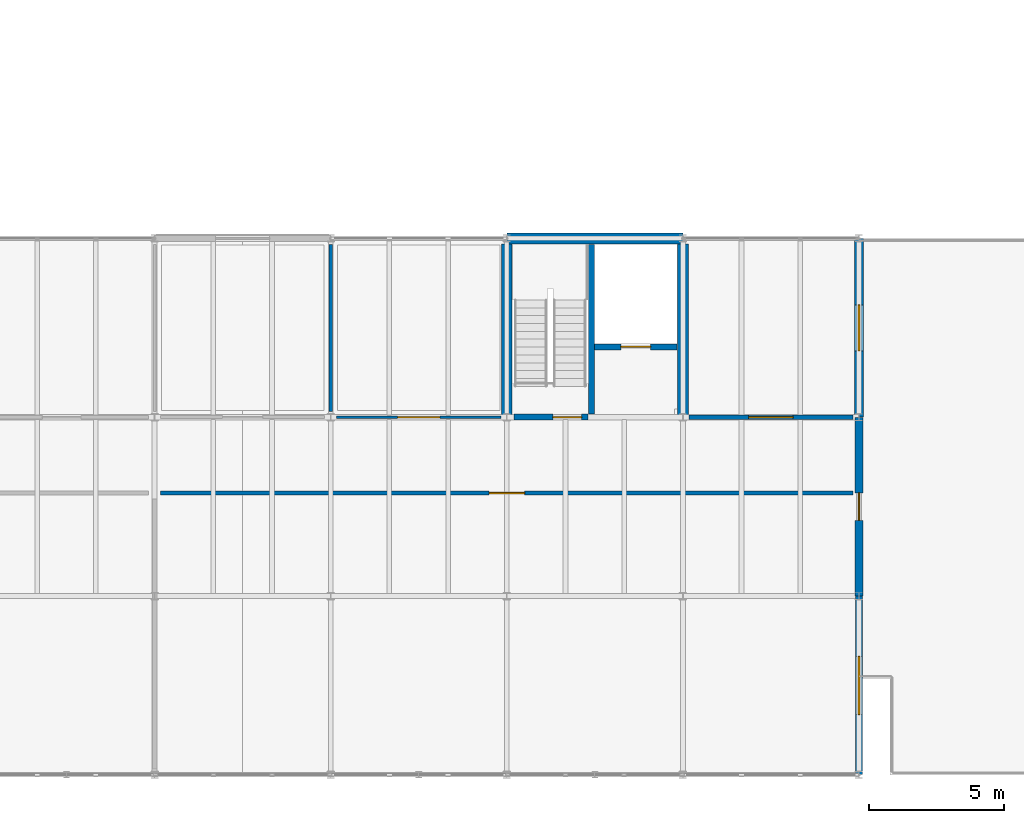
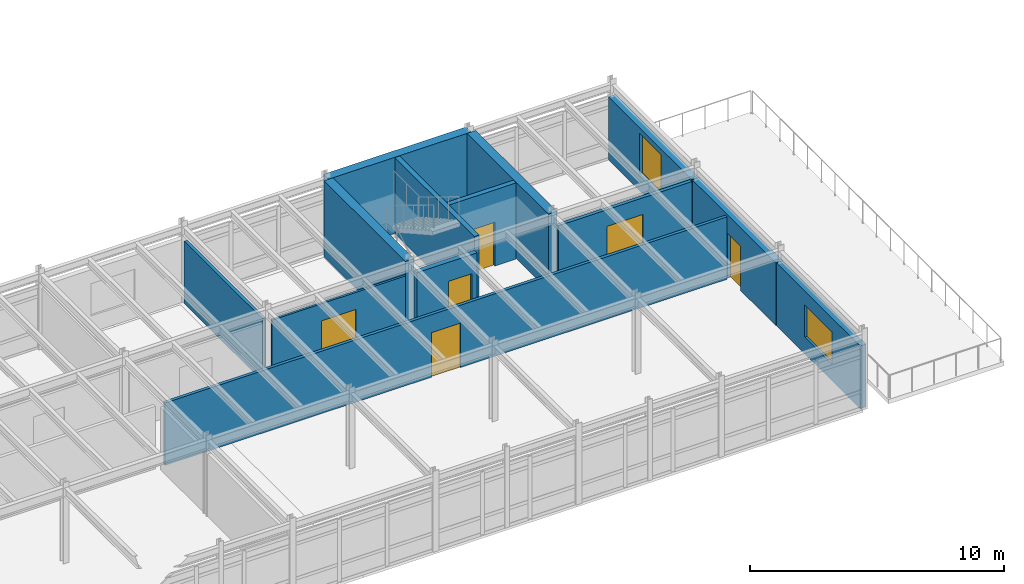
# One storey, part 20 of 26: 13 walls, 6 doors, 2 windows, 8 openings.
"""IFC4 building model written with IfcOpenShell, lengths in metres."""

from ifc_helpers import new_model, si_unit, direction, frame, frame_2d, origin, place, context, subcontext, project, spatial, rectangle, extrude, material, layer, layer_set, type_object, element, fill, save


model = new_model("IFC4")

# Units and contexts
model_context = context("Model", 3, precision=1e-05, world=origin(), true_north=direction((0.0, 1.0)))
body_context = subcontext(model_context, "Body", "Model", "MODEL_VIEW")
ifc_project = project(units=[si_unit("LENGTHUNIT", "METRE"), si_unit("AREAUNIT", "SQUARE_METRE"), si_unit("VOLUMEUNIT", "CUBIC_METRE"), si_unit("PLANEANGLEUNIT", "RADIAN"), si_unit("MASSUNIT", "GRAM", prefix="KILO")], contexts=[model_context])

# Site, building, storey
site_placement = place(None, origin())
site = spatial("IfcSite", under=ifc_project, at=site_placement, CompositionType="ELEMENT")
building_placement = place(site_placement, origin())
building = spatial("IfcBuilding", under=site, at=building_placement, Name="Trelmorton Wharf Fire Station", CompositionType="ELEMENT")
storey_placement = place(building_placement, frame((0.0, 0.0, 17.39990234375)))
storey = spatial("IfcBuildingStorey", under=building, at=storey_placement, Name="L04", CompositionType="ELEMENT", Elevation=17.39990234375)

# Wall, opening, window
ifc_material_1 = material(Name="Precast concrete 45 MPa", Category="concrete")
ifc_layer_1 = layer(ifc_material_1, 0.27001953125)
ifc_layer_set_1 = layer_set([ifc_layer_1], Name="Precast concrete 45 MPa")
wall_type_1 = type_object("IfcWallType", Name="EW_PREC_270", PredefinedType="SOLIDWALL", material=ifc_layer_set_1)
wall_1_placement = place(storey_placement, frame((156.0, 14.39501953125, 0.0), z_axis=(0.0, 0.0, 1.0), x_axis=(0.0, -1.0, 0.0)))
wall_1 = element("IfcWall", 1, at=wall_1_placement, inside=storey, type_object=wall_type_1, Name="EW-V5-L04-0110", PredefinedType="SOLIDWALL", context=body_context, shape_type="SweptSolid", body=[
    extrude(rectangle(XDim=6.590087890625, YDim=0.27001953125, at=frame_2d((3.294921875, 0.0))), origin(), (0.0, 0.0, 1.0), 3.02001953125),
])
opening_1_placement = place(wall_1_placement, frame((2.219970703125, 0.0, 0.800048828125)))
opening_1 = element("IfcOpeningElement", 2, at=opening_1_placement, cuts=wall_1, Name="Opening W43", PredefinedType="OPENING", context=body_context, shape_type="SweptSolid", body=[
    extrude(rectangle(XDim=2.14990234375, YDim=1.550048828125, at=frame_2d((1.074951171875, 0.77490234375))), frame((0.0, 0.14501953125, 0.0), z_axis=(0.0, -1.0, 0.0), x_axis=(1.0, 0.0, 0.0)), (0.0, 0.0, 1.0), 0.2900390625),
])
ifc_material_2 = material(Name="Tempered low-E double glazing", Category="glass")
window_type_1 = type_object("IfcWindowType", Name="WIN_W43", PartitioningType="DOUBLE_PANEL_VERTICAL", PredefinedType="WINDOW", material=ifc_material_2)
window_1_placement = place(opening_1_placement, origin())
window_1 = element("IfcWindow", 3, at=window_1_placement, inside=storey, type_object=window_type_1, Name="WN-V5-L04-0057", OverallHeight=1.550048828125, OverallWidth=2.14990234375, PartitioningType="DOUBLE_PANEL_VERTICAL", PredefinedType="WINDOW", context=body_context, shape_type="SweptSolid", body=[
    extrude(rectangle(XDim=2.14990234375, YDim=1.550048828125, at=frame_2d((1.074951171875, 0.77490234375))), frame((0.0, 0.030029296875, 0.0), z_axis=(0.0, -1.0, 0.0), x_axis=(1.0, 0.0, 0.0)), (0.0, 0.0, 1.0), 0.06005859375),
])
fill(opening_1, window_1)

# Wall, opening, door
ifc_layer_2 = layer(ifc_material_1, 0.31005859375)
ifc_layer_set_2 = layer_set([ifc_layer_2], Name="Precast concrete 45 MPa")
wall_type_2 = type_object("IfcWallType", Name="EW_TERR_310", PredefinedType="SOLIDWALL", material=ifc_layer_set_2)
wall_2_placement = place(storey_placement, frame((156.0, 20.9951171875, 0.0), z_axis=(0.0, 0.0, 1.0), x_axis=(0.0, -1.0, 0.0)))
wall_2 = element("IfcWall", 4, at=wall_2_placement, inside=storey, type_object=wall_type_2, Name="EW-V5-L04-0112", PredefinedType="SOLIDWALL", context=body_context, shape_type="SweptSolid", body=[
    extrude(rectangle(XDim=6.590087890625, YDim=0.31005859375, at=frame_2d((3.294921875, 0.0))), origin(), (0.0, 0.0, 1.0), 3.02001953125),
])
opening_2_placement = place(wall_2_placement, frame((2.784912109375, 0.0, 0.0)))
opening_2 = element("IfcOpeningElement", 5, at=opening_2_placement, cuts=wall_2, Name="Opening TD-018", PredefinedType="OPENING", context=body_context, shape_type="SweptSolid", body=[
    extrude(rectangle(XDim=1.02001953125, YDim=2.139892578125, at=frame_2d((0.510009765625, 1.06982421875))), frame((0.0, 0.1650390625, 0.0), z_axis=(0.0, -1.0, 0.0), x_axis=(1.0, 0.0, 0.0)), (0.0, 0.0, 1.0), 0.330078125),
])
ifc_material_3 = material(Name="Anodised aluminium AW-6063", Category="aluminium")
door_type_1 = type_object("IfcDoorType", Name="DR_TER_SGL_102", OperationType="NOTDEFINED", PredefinedType="DOOR", material=ifc_material_3)
door_1_placement = place(opening_2_placement, origin())
door_1 = element("IfcDoor", 6, at=door_1_placement, inside=storey, type_object=door_type_1, Name="Terrace Door TD-018", OperationType="SINGLE_SWING_RIGHT", OverallHeight=2.139892578125, OverallWidth=1.02001953125, PredefinedType="DOOR", context=body_context, shape_type="SweptSolid", body=[
    extrude(rectangle(XDim=1.02001953125, YDim=2.139892578125, at=frame_2d((0.510009765625, 1.06982421875))), frame((0.0, 0.02490234375, 0.0), z_axis=(0.0, -1.0, 0.0), x_axis=(1.0, 0.0, 0.0)), (0.0, 0.0, 1.0), 0.050048828125),
])
fill(opening_2, door_1)

# Wall, opening, window
ifc_layer_3 = layer(ifc_material_1, 0.330078125)
ifc_layer_set_3 = layer_set([ifc_layer_3], Name="Precast concrete 45 MPa")
wall_type_3 = type_object("IfcWallType", Name="EW_TERR_330", PredefinedType="SOLIDWALL", material=ifc_layer_set_3)
wall_3_placement = place(storey_placement, frame((156.0, 27.594970703125, 0.0), z_axis=(0.0, 0.0, 1.0), x_axis=(0.0, -1.0, 0.0)))
wall_3 = element("IfcWall", 7, at=wall_3_placement, inside=storey, type_object=wall_type_3, Name="EW-V5-L04-0113", PredefinedType="SOLIDWALL", context=body_context, shape_type="SweptSolid", body=[
    extrude(rectangle(XDim=6.590087890625, YDim=0.330078125, at=frame_2d((3.294921875, 0.0))), origin(), (0.0, 0.0, 1.0), 3.02001953125),
])
opening_3_placement = place(wall_3_placement, frame((2.445068359375, 0.0, 0.800048828125)))
opening_3 = element("IfcOpeningElement", 8, at=opening_3_placement, cuts=wall_3, Name="Opening W45", PredefinedType="OPENING", context=body_context, shape_type="SweptSolid", body=[
    extrude(rectangle(XDim=1.699951171875, YDim=1.949951171875, at=frame_2d((0.85009765625, 0.97509765625))), frame((0.0, 0.175048828125, 0.0), z_axis=(0.0, -1.0, 0.0), x_axis=(1.0, 0.0, 0.0)), (0.0, 0.0, 1.0), 0.35009765625),
])
window_type_2 = type_object("IfcWindowType", Name="WIN_W45", PartitioningType="DOUBLE_PANEL_VERTICAL", PredefinedType="WINDOW", material=ifc_material_2)
window_2_placement = place(opening_3_placement, origin())
window_2 = element("IfcWindow", 9, at=window_2_placement, inside=storey, type_object=window_type_2, Name="WN-V5-L04-0059", OverallHeight=1.949951171875, OverallWidth=1.699951171875, PartitioningType="DOUBLE_PANEL_VERTICAL", PredefinedType="WINDOW", context=body_context, shape_type="SweptSolid", body=[
    extrude(rectangle(XDim=1.699951171875, YDim=1.949951171875, at=frame_2d((0.85009765625, 0.97509765625))), frame((0.0, 0.030029296875, 0.0), z_axis=(0.0, -1.0, 0.0), x_axis=(1.0, 0.0, 0.0)), (0.0, 0.0, 1.0), 0.06005859375),
])
fill(opening_3, window_2)

# Wall, opening, door
ifc_material_4 = material(Name="Gypsum plasterboard partition")
ifc_layer_4 = layer(ifc_material_4, 0.159912109375)
ifc_layer_set_4 = layer_set([ifc_layer_4], Name="Gypsum plasterboard partition")
wall_type_4 = type_object("IfcWallType", Name="IW_ACOU_160", PredefinedType="PARTITIONING", material=ifc_layer_set_4)
wall_4_placement = place(storey_placement, frame((149.719970703125, 21.0, 0.0), z_axis=(0.0, 0.0, 1.0), x_axis=(1.0, 0.0, 0.0)))
wall_4 = element("IfcWall", 10, at=wall_4_placement, inside=storey, type_object=wall_type_4, Name="IW-L04-0232", PredefinedType="PARTITIONING", context=body_context, shape_type="SweptSolid", body=[
    extrude(rectangle(XDim=6.06005859375, YDim=0.159912109375, at=frame_2d((3.030029296875, 0.0))), origin(), (0.0, 0.0, 1.0), 3.0),
])
opening_4_placement = place(wall_4_placement, frame((2.2099609375, 0.0, 0.0)))
opening_4 = element("IfcOpeningElement", 11, at=opening_4_placement, cuts=wall_4, Name="Opening D-158", PredefinedType="OPENING", context=body_context, shape_type="SweptSolid", body=[
    extrude(rectangle(XDim=1.639892578125, YDim=2.199951171875, at=frame_2d((0.81982421875, 1.10009765625))), frame((0.0, 0.08984375, 0.0), z_axis=(0.0, -1.0, 0.0), x_axis=(1.0, 0.0, 0.0)), (0.0, 0.0, 1.0), 0.179931640625),
])
ifc_material_5 = material(Name="Acoustic timber panelling", Category="wood")
door_type_2 = type_object("IfcDoorType", Name="DR_INT_164", OperationType="DOUBLE_DOOR_SINGLE_SWING", PredefinedType="DOOR", material=ifc_material_5)
door_2_placement = place(opening_4_placement, origin())
door_2 = element("IfcDoor", 12, at=door_2_placement, inside=storey, type_object=door_type_2, Name="Interior Door D-158", OperationType="DOUBLE_DOOR_SINGLE_SWING", OverallHeight=2.199951171875, OverallWidth=1.639892578125, PredefinedType="DOOR", context=body_context, shape_type="SweptSolid", body=[
    extrude(rectangle(XDim=1.639892578125, YDim=2.199951171875, at=frame_2d((0.81982421875, 1.10009765625))), frame((0.0, 0.02490234375, 0.0), z_axis=(0.0, -1.0, 0.0), x_axis=(1.0, 0.0, 0.0)), (0.0, 0.0, 1.0), 0.050048828125),
])
fill(opening_4, door_2)

# Wall
ifc_material_6 = material(Name="Concrete 40 MPa", Category="concrete")
ifc_layer_5 = layer(ifc_material_6, 0.219970703125)
ifc_layer_set_5 = layer_set([ifc_layer_5], Name="Concrete 40 MPa")
wall_type_5 = type_object("IfcWallType", Name="IW_CORE_220", PredefinedType="SOLIDWALL", material=ifc_layer_set_5)
wall_5_placement = place(storey_placement, frame((146.1201171875, 21.1201171875, 0.0), z_axis=(0.0, 0.0, 1.0), x_axis=(0.0, 1.0, 0.0)))
element("IfcWall", 13, at=wall_5_placement, inside=storey, type_object=wall_type_5, Name="IW-C4-DIV-L04", PredefinedType="SOLIDWALL", context=body_context, shape_type="SweptSolid", body=[
    extrude(rectangle(XDim=6.2548828125, YDim=0.219970703125, at=frame_2d((3.12744140625, 0.0))), origin(), (0.0, 0.0, 1.0), 3.66015625),
])

# Wall, opening, door
wall_6_placement = place(storey_placement, frame((143.260009765625, 21.0, 0.0), z_axis=(0.0, 0.0, 1.0), x_axis=(1.0, 0.0, 0.0)))
wall_6 = element("IfcWall", 14, at=wall_6_placement, inside=storey, type_object=wall_type_5, Name="IW-C4-SF-L04", PredefinedType="SOLIDWALL", context=body_context, shape_type="SweptSolid", body=[
    extrude(rectangle(XDim=2.739990234375, YDim=0.219970703125, at=frame_2d((1.3701171875, 0.0))), origin(), (0.0, 0.0, 1.0), 3.02001953125),
])
opening_5_placement = place(wall_6_placement, frame((1.43994140625, 0.0, 0.0)))
opening_5 = element("IfcOpeningElement", 15, at=opening_5_placement, cuts=wall_6, Name="Opening FD-021", PredefinedType="OPENING", context=body_context, shape_type="SweptSolid", body=[
    extrude(rectangle(XDim=1.06005859375, YDim=2.10009765625, at=frame_2d((0.530029296875, 1.050048828125))), frame((0.0, 0.1201171875, 0.0), z_axis=(0.0, -1.0, 0.0), x_axis=(1.0, 0.0, 0.0)), (0.0, 0.0, 1.0), 0.239990234375),
])
ifc_material_7 = material(Name="Stainless steel 316 marine grade", Category="steel")
door_type_3 = type_object("IfcDoorType", Name="DR_FIRE_106", OperationType="NOTDEFINED", PredefinedType="DOOR", material=ifc_material_7)
door_3_placement = place(opening_5_placement, origin())
door_3 = element("IfcDoor", 16, at=door_3_placement, inside=storey, type_object=door_type_3, Name="Stair Fire Door FD-021", OperationType="SINGLE_SWING_LEFT", OverallHeight=2.10009765625, OverallWidth=1.06005859375, PredefinedType="DOOR", context=body_context, shape_type="SweptSolid", body=[
    extrude(rectangle(XDim=1.06005859375, YDim=2.10009765625, at=frame_2d((0.530029296875, 1.050048828125))), frame((0.0, 0.02490234375, 0.0), z_axis=(0.0, -1.0, 0.0), x_axis=(1.0, 0.0, 0.0)), (0.0, 0.0, 1.0), 0.050048828125),
])
fill(opening_5, door_3)

wall_7_placement = place(storey_placement, frame((146.239990234375, 23.60009765625, 0.0), z_axis=(0.0, 0.0, 1.0), x_axis=(1.0, 0.0, 0.0)))
wall_7 = element("IfcWall", 17, at=wall_7_placement, inside=storey, type_object=wall_type_5, Name="IW-C4-LSH-L04", PredefinedType="SOLIDWALL", context=body_context, shape_type="SweptSolid", body=[
    extrude(rectangle(XDim=3.034912109375, YDim=0.219970703125, at=frame_2d((1.517578125, 0.0))), origin(), (0.0, 0.0, 1.0), 3.66015625),
])
opening_6_placement = place(wall_7_placement, frame((0.967529296875, 0.0, 0.0)))
opening_6 = element("IfcOpeningElement", 18, at=opening_6_placement, cuts=wall_7, Name="Opening LD-021", PredefinedType="OPENING", context=body_context, shape_type="SweptSolid", body=[
    extrude(rectangle(XDim=1.10009765625, YDim=2.10009765625, at=frame_2d((0.550048828125, 1.050048828125))), frame((0.0, 0.1201171875, 0.0), z_axis=(0.0, -1.0, 0.0), x_axis=(1.0, 0.0, 0.0)), (0.0, 0.0, 1.0), 0.239990234375),
])
door_type_4 = type_object("IfcDoorType", Name="DR_LIFT_110", OperationType="DOUBLE_DOOR_SLIDING", PredefinedType="DOOR", material=ifc_material_7)
door_4_placement = place(opening_6_placement, origin())
door_4 = element("IfcDoor", 19, at=door_4_placement, inside=storey, type_object=door_type_4, Name="Lift Landing Door LD-021", OperationType="DOUBLE_DOOR_SLIDING", OverallHeight=2.10009765625, OverallWidth=1.10009765625, PredefinedType="DOOR", context=body_context, shape_type="SweptSolid", body=[
    extrude(rectangle(XDim=1.10009765625, YDim=2.10009765625, at=frame_2d((0.550048828125, 1.050048828125))), frame((0.0, 0.02490234375, 0.0), z_axis=(0.0, -1.0, 0.0), x_axis=(1.0, 0.0, 0.0)), (0.0, 0.0, 1.0), 0.050048828125),
])
fill(opening_6, door_4)

ifc_layer_6 = layer(ifc_material_4, 0.10009765625)
ifc_layer_set_6 = layer_set([ifc_layer_6], Name="Gypsum plasterboard partition")
wall_type_6 = type_object("IfcWallType", Name="IW_PART_100", PredefinedType="PARTITIONING", material=ifc_layer_set_6)
wall_8_placement = place(storey_placement, frame((136.719970703125, 21.0, 0.0), z_axis=(0.0, 0.0, 1.0), x_axis=(1.0, 0.0, 0.0)))
wall_8 = element("IfcWall", 20, at=wall_8_placement, inside=storey, type_object=wall_type_6, Name="IW-L04-0231", PredefinedType="PARTITIONING", context=body_context, shape_type="SweptSolid", body=[
    extrude(rectangle(XDim=6.06005859375, YDim=0.10009765625, at=frame_2d((3.030029296875, 0.0))), origin(), (0.0, 0.0, 1.0), 3.0),
])
opening_7_placement = place(wall_8_placement, frame((2.25, 0.0, 0.0)))
opening_7 = element("IfcOpeningElement", 21, at=opening_7_placement, cuts=wall_8, Name="Opening D-157", PredefinedType="OPENING", context=body_context, shape_type="SweptSolid", body=[
    extrude(rectangle(XDim=1.56005859375, YDim=2.179931640625, at=frame_2d((0.780029296875, 1.08984375))), frame((0.0, 0.06005859375, 0.0), z_axis=(0.0, -1.0, 0.0), x_axis=(1.0, 0.0, 0.0)), (0.0, 0.0, 1.0), 0.1201171875),
])
door_type_5 = type_object("IfcDoorType", Name="DR_INT_156", OperationType="DOUBLE_DOOR_SINGLE_SWING", PredefinedType="DOOR", material=ifc_material_5)
door_5_placement = place(opening_7_placement, origin())
door_5 = element("IfcDoor", 22, at=door_5_placement, inside=storey, type_object=door_type_5, Name="Interior Door D-157", OperationType="DOUBLE_DOOR_SINGLE_SWING", OverallHeight=2.179931640625, OverallWidth=1.56005859375, PredefinedType="DOOR", context=body_context, shape_type="SweptSolid", body=[
    extrude(rectangle(XDim=1.56005859375, YDim=2.179931640625, at=frame_2d((0.780029296875, 1.08984375))), frame((0.0, 0.02490234375, 0.0), z_axis=(0.0, -1.0, 0.0), x_axis=(1.0, 0.0, 0.0)), (0.0, 0.0, 1.0), 0.050048828125),
])
fill(opening_7, door_5)

ifc_layer_7 = layer(ifc_material_4, 0.139892578125)
ifc_layer_set_7 = layer_set([ifc_layer_7], Name="Gypsum plasterboard partition")
wall_type_7 = type_object("IfcWallType", Name="IW_PART_140", PredefinedType="PARTITIONING", material=ifc_layer_set_7)
wall_9_placement = place(storey_placement, frame((130.219970703125, 18.199951171875, 0.0), z_axis=(0.0, 0.0, 1.0), x_axis=(1.0, 0.0, 0.0)))
wall_9 = element("IfcWall", 23, at=wall_9_placement, inside=storey, type_object=wall_type_7, Name="IW-L04-0227", PredefinedType="PARTITIONING", context=body_context, shape_type="SweptSolid", body=[
    extrude(rectangle(XDim=25.56005859375, YDim=0.139892578125, at=frame_2d((12.780029296875, 0.0))), origin(), (0.0, 0.0, 1.0), 3.0),
])
opening_8_placement = place(wall_9_placement, frame((12.125, 0.0, 0.0)))
opening_8 = element("IfcOpeningElement", 24, at=opening_8_placement, cuts=wall_9, Name="Opening D-153", PredefinedType="OPENING", context=body_context, shape_type="SweptSolid", body=[
    extrude(rectangle(XDim=1.31005859375, YDim=2.139892578125, at=frame_2d((0.655029296875, 1.06982421875))), frame((0.0, 0.080078125, 0.0), z_axis=(0.0, -1.0, 0.0), x_axis=(1.0, 0.0, 0.0)), (0.0, 0.0, 1.0), 0.159912109375),
])
door_type_6 = type_object("IfcDoorType", Name="DR_INT_131", OperationType="NOTDEFINED", PredefinedType="DOOR", material=ifc_material_5)
door_6_placement = place(opening_8_placement, origin())
door_6 = element("IfcDoor", 25, at=door_6_placement, inside=storey, type_object=door_type_6, Name="Interior Door D-153", OperationType="SINGLE_SWING_RIGHT", OverallHeight=2.139892578125, OverallWidth=1.31005859375, PredefinedType="DOOR", context=body_context, shape_type="SweptSolid", body=[
    extrude(rectangle(XDim=1.31005859375, YDim=2.139892578125, at=frame_2d((0.655029296875, 1.06982421875))), frame((0.0, 0.02490234375, 0.0), z_axis=(0.0, -1.0, 0.0), x_axis=(1.0, 0.0, 0.0)), (0.0, 0.0, 1.0), 0.050048828125),
])
fill(opening_8, door_6)

# Walls
wall_10_placement = place(storey_placement, frame((136.5, 21.219970703125, 0.0), z_axis=(0.0, 0.0, 1.0), x_axis=(0.0, 1.0, 0.0)))
element("IfcWall", 26, at=wall_10_placement, inside=storey, type_object=wall_type_7, Name="IW-L04-0234", PredefinedType="PARTITIONING", context=body_context, shape_type="SweptSolid", body=[
    extrude(rectangle(XDim=6.159912109375, YDim=0.139892578125, at=frame_2d((3.080078125, 0.0))), origin(), (0.0, 0.0, 1.0), 3.0),
])
ifc_material_8 = material(Name="Concrete 50 MPa", Category="concrete")
ifc_layer_8 = layer(ifc_material_8, 0.39990234375)
ifc_layer_set_8 = layer_set([ifc_layer_8], Name="Concrete 50 MPa")
wall_type_8 = type_object("IfcWallType", Name="WL_CORE_400", PredefinedType="SHEAR", material=ifc_layer_set_8)
wall_11_placement = place(storey_placement, frame((143.0, 27.60009765625, 0.0), z_axis=(0.0, 0.0, 1.0), x_axis=(1.0, 0.0, 0.0)))
element("IfcWall", 27, at=wall_11_placement, inside=storey, type_object=wall_type_8, Name="WL-SW-C4-L04-061", PredefinedType="SHEAR", context=body_context, shape_type="SweptSolid", body=[
    extrude(rectangle(XDim=6.5, YDim=0.39990234375, at=frame_2d((3.25, 0.0))), origin(), (0.0, 0.0, 1.0), 3.66015625),
])
for number, where, z_axis, x_axis, name in (
    (28, (143.0, 21.0, 0.0), (0.0, 0.0, 1.0), (0.0, 1.0, 0.0), "WL-SW-C4-L04-062"),
    (29, (149.5, 21.0, 0.0), (0.0, 0.0, 1.0), (0.0, 1.0, 0.0), "WL-SW-C4-L04-063"),
):
    element("IfcWall", number, at=place(storey_placement, frame(where, z_axis=z_axis, x_axis=x_axis)), inside=storey, type_object=wall_type_8, Name=name, PredefinedType="SHEAR", context=body_context, shape_type="SweptSolid", body=[
        extrude(rectangle(XDim=6.39990234375, YDim=0.39990234375, at=frame_2d((3.199951171875, 0.0))), origin(), (0.0, 0.0, 1.0), 3.66015625),
    ])

save(model, "model.ifc")
